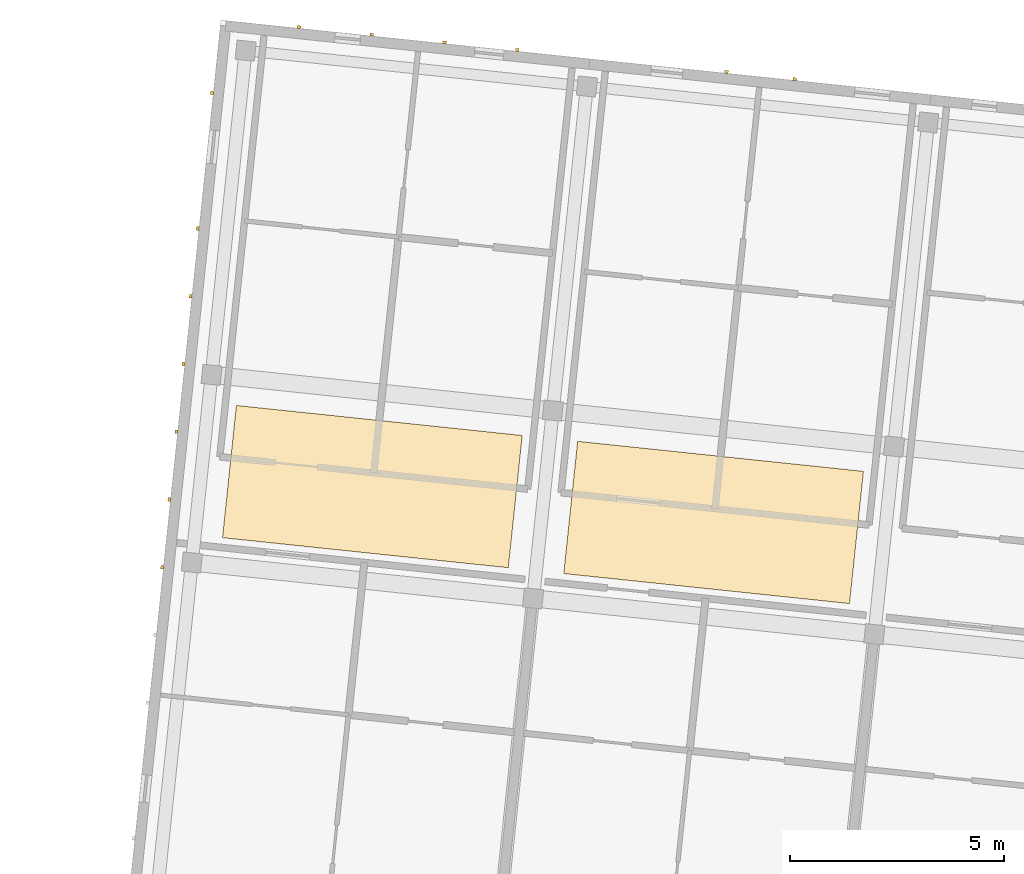
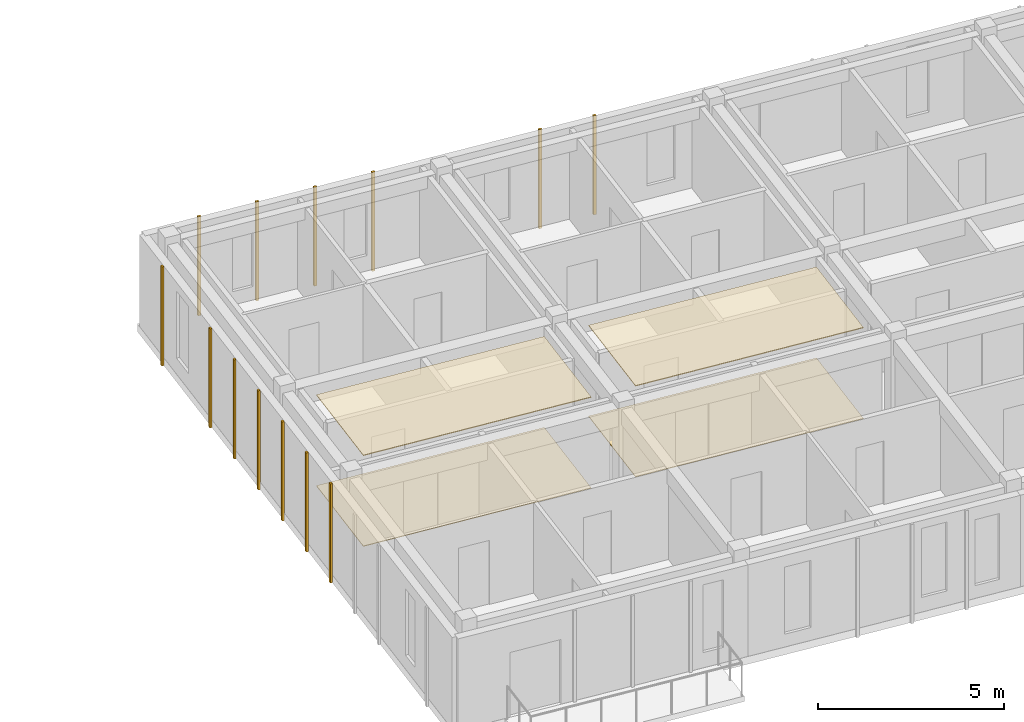
# One storey, part 48 of 56: 17 coverings.
"""IFC4 building model written with IfcOpenShell, lengths in metres."""

from ifc_helpers import new_model, si_unit, direction, frame, origin, origin_2d, place, context, subcontext, project, spatial, polyline, rectangle, outline, extrude, material, layer, layer_set, type_object, element, save


model = new_model("IFC4")

# Units and contexts
model_context = context("Model", 3, precision=1e-05, world=origin(), true_north=direction((0.0, 1.0)))
body_context = subcontext(model_context, "Body", "Model", "MODEL_VIEW")
ifc_project = project(units=[si_unit("LENGTHUNIT", "METRE"), si_unit("AREAUNIT", "SQUARE_METRE"), si_unit("VOLUMEUNIT", "CUBIC_METRE"), si_unit("PLANEANGLEUNIT", "RADIAN"), si_unit("MASSUNIT", "GRAM", prefix="KILO")], contexts=[model_context])

# Site, building, storey
site_placement = place(None, origin())
site = spatial("IfcSite", under=ifc_project, at=site_placement, CompositionType="ELEMENT")
building_placement = place(site_placement, origin())
building = spatial("IfcBuilding", under=site, at=building_placement, Name="Kestramere Prow Commons", CompositionType="ELEMENT")
storey_placement = place(building_placement, frame((0.0, 0.0, 27.89990234375)))
storey = spatial("IfcBuildingStorey", under=building, at=storey_placement, Name="L08", CompositionType="ELEMENT", Elevation=27.89990234375)

# Coverings
ifc_material_1 = material(Name="Mineral Fibre Acoustic Ceiling Tile")
ifc_layer_1 = layer(ifc_material_1, 0.02490234375)
ifc_layer_set_1 = layer_set([ifc_layer_1], Name="Mineral Fibre Acoustic Ceiling Tile")
covering_type_1 = type_object("IfcCoveringType", Name="COV-CEIL-ACOUSTIC", PredefinedType="CEILING", material=ifc_layer_set_1)
covering_1_placement = place(storey_placement, frame((0.0, 0.0, 2.97509765625)))
element("IfcCovering", 1, at=covering_1_placement, inside=storey, type_object=covering_type_1, Name="Block B L08 Corridor Acoustic Ceiling 1", PredefinedType="CEILING", context=body_context, shape_type="SweptSolid", body=[
    extrude(outline(polyline([(111.5087890625, 102.936767578125), (118.172119140625, 102.236572265625), (118.49609375, 105.319580078125), (111.832763671875, 106.019775390625), (111.5087890625, 102.936767578125)])), origin(), (0.0, 0.0, 1.0), 0.02490234375),
])
covering_2_placement = place(storey_placement, frame((0.0, 0.0, 2.97509765625)))
element("IfcCovering", 2, at=covering_2_placement, inside=storey, type_object=covering_type_1, Name="Block B L08 Corridor Acoustic Ceiling 2", PredefinedType="CEILING", context=body_context, shape_type="SweptSolid", body=[
    extrude(outline(polyline([(119.465087890625, 102.1005859375), (126.128173828125, 101.400390625), (126.452392578125, 104.4833984375), (119.7890625, 105.18359375), (119.465087890625, 102.1005859375)])), origin(), (0.0, 0.0, 1.0), 0.02490234375),
])
ifc_material_2 = material(Name="Weathered Zinc-Titanium Standing-Seam Cladding")
ifc_layer_2 = layer(ifc_material_2, 0.074951171875)
ifc_layer_set_2 = layer_set([ifc_layer_2], Name="Weathered Zinc-Titanium Standing-Seam Cladding")
covering_type_2 = type_object("IfcCoveringType", Name="COV-CLAD-SEAM", PredefinedType="CLADDING", material=ifc_layer_set_2)
for number, where, z_axis, x_axis, name in (
    (3, (113.293212890625, 114.843017578125, -0.25), (0.0, 0.0, 1.0), (0.994521895368, -0.104528463268, 0.0), "EW-B-L08-N-0 Standing-Seam Rib 1"),
    (4, (114.98876953125, 114.664794921875, -0.25), (0.0, 0.0, 1.0), (0.994521895368, -0.104528463268, 0.0), "EW-B-L08-N-0 Standing-Seam Rib 2"),
    (5, (116.684326171875, 114.486572265625, -0.25), (0.0, 0.0, 1.0), (0.994521895368, -0.104528463268, 0.0), "EW-B-L08-N-0 Standing-Seam Rib 3"),
    (6, (118.380126953125, 114.308349609375, -0.25), (0.0, 0.0, 1.0), (0.994521895368, -0.104528463268, 0.0), "EW-B-L08-N-0 Standing-Seam Rib 4"),
    (7, (123.25830078125, 113.795654296875, -0.25), (0.0, 0.0, 1.0), (0.994521895368, -0.104528463268, 0.0), "EW-B-L08-N-1 Standing-Seam Rib 2"),
    (8, (124.849365234375, 113.62841796875, -0.25), (0.0, 0.0, 1.0), (0.994521895368, -0.104528463268, 0.0), "EW-B-L08-N-1 Standing-Seam Rib 3"),
    (9, (110.1015625, 102.24755859375, -0.25), (0.0, 0.0, 1.0), (0.104528463268, 0.994521895368, 0.0), "EW-B-L08-EAV Standing-Seam Rib 5"),
    (10, (110.267578125, 103.8271484375, -0.25), (0.0, 0.0, 1.0), (0.104528463268, 0.994521895368, 0.0), "EW-B-L08-EAV Standing-Seam Rib 6"),
    (11, (110.43359375, 105.406982421875, -0.25), (0.0, 0.0, 1.0), (0.104528463268, 0.994521895368, 0.0), "EW-B-L08-EAV Standing-Seam Rib 7"),
    (12, (110.599609375, 106.98681640625, -0.25), (0.0, 0.0, 1.0), (0.104528463268, 0.994521895368, 0.0), "EW-B-L08-EAV Standing-Seam Rib 8"),
    (13, (110.765625, 108.566650390625, -0.25), (0.0, 0.0, 1.0), (0.104528463268, 0.994521895368, 0.0), "EW-B-L08-EAV Standing-Seam Rib 9"),
    (14, (110.931640625, 110.146240234375, -0.25), (0.0, 0.0, 1.0), (0.104528463268, 0.994521895368, 0.0), "EW-B-L08-EAV Standing-Seam Rib 10"),
    (15, (111.263916015625, 113.305908203125, -0.25), (0.0, 0.0, 1.0), (0.104528463268, 0.994521895368, 0.0), "EW-B-L08-EAV Standing-Seam Rib 12"),
):
    element("IfcCovering", number, at=place(storey_placement, frame(where, z_axis=z_axis, x_axis=x_axis)), inside=storey, type_object=covering_type_2, Name=name, PredefinedType="CLADDING", context=body_context, shape_type="SweptSolid", body=[
        extrude(rectangle(XDim=0.0849609375, YDim=0.06494140625, at=origin_2d()), origin(), (0.0, 0.0, 1.0), 3.25),
    ])
ifc_material_3 = material(Name="Honed Cementitious Terrazzo Tile")
ifc_layer_3 = layer(ifc_material_3, 0.02001953125)
ifc_layer_set_3 = layer_set([ifc_layer_3], Name="Honed Cementitious Terrazzo Tile")
covering_type_3 = type_object("IfcCoveringType", Name="COV-FLOOR-TERRAZZO", PredefinedType="FLOORING", material=ifc_layer_set_3)
covering_3_placement = place(storey_placement, origin())
element("IfcCovering", 16, at=covering_3_placement, inside=storey, type_object=covering_type_3, Name="Block B L08 Corridor Terrazzo Flooring 1", PredefinedType="FLOORING", context=body_context, shape_type="SweptSolid", body=[
    extrude(outline(polyline([(111.5087890625, 102.936767578125), (118.172119140625, 102.236572265625), (118.49609375, 105.319580078125), (111.832763671875, 106.019775390625), (111.5087890625, 102.936767578125)])), origin(), (0.0, 0.0, 1.0), 0.02001953125),
])
covering_4_placement = place(storey_placement, origin())
element("IfcCovering", 17, at=covering_4_placement, inside=storey, type_object=covering_type_3, Name="Block B L08 Corridor Terrazzo Flooring 2", PredefinedType="FLOORING", context=body_context, shape_type="SweptSolid", body=[
    extrude(outline(polyline([(119.465087890625, 102.1005859375), (126.128173828125, 101.400390625), (126.452392578125, 104.4833984375), (119.7890625, 105.18359375), (119.465087890625, 102.1005859375)])), origin(), (0.0, 0.0, 1.0), 0.02001953125),
])

save(model, "model.ifc")
